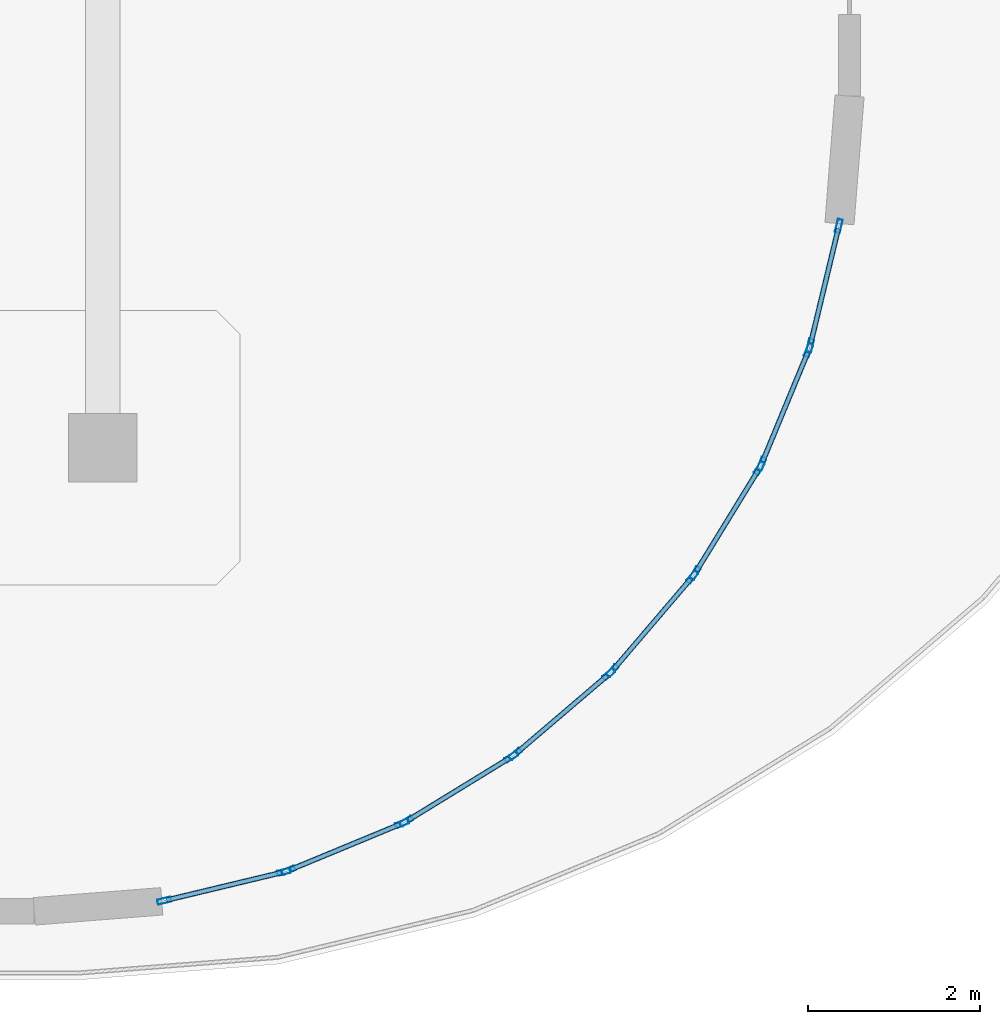
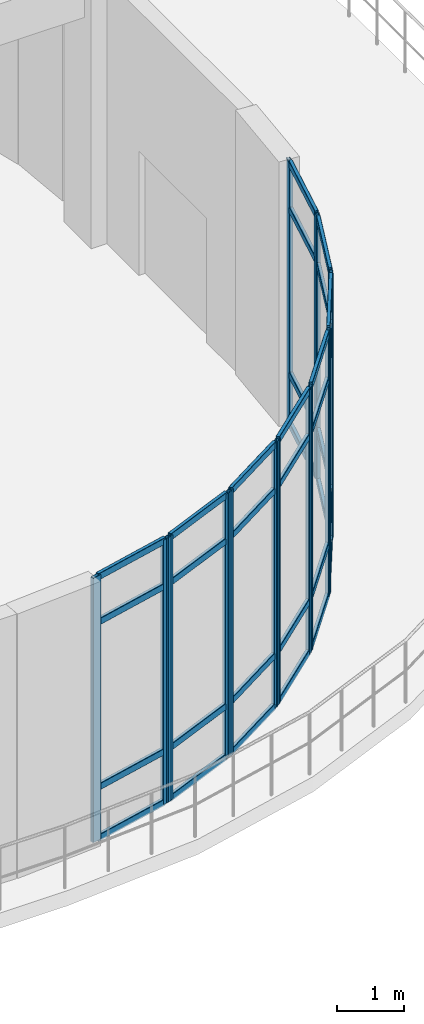
# One storey, part 59 of 96: 48 members, 8 elements without a shape of their own.
"""IFC4 building model written with IfcOpenShell, lengths in metres."""

import ifcopenshell
import ifcopenshell.guid

model = None  # the IFC model being written
_history = None  # IfcOwnerHistory: only IFC2X3 demands one
_inside = {}  # id of a spatial element -> (the spatial element, [elements in it])
_under = {}  # id of a project, library or spatial element -> (it, [spatial elements below it])
_declared = {}  # id of a project -> (the project, [libraries it declares])
_typed = {}  # id of a type object -> (the type object, [elements of that type])
_made_of = {}  # id of a material, layer set ... -> (it, [elements and type objects made of it])


def new_model(schema):
    """Start an empty IFC model of exactly this schema.

    Asked for "IFC4X3", IfcOpenShell would pick the latest addendum, in which some entities
    have other attributes; the version numbers below select the first issue.
    IFC2X3 requires an IfcOwnerHistory on every rooted entity: one is made here for all.
    """
    global model, _history
    if schema == "IFC4X3":
        model = ifcopenshell.file(schema_version=(4, 3, 0, 0))
    else:
        model = ifcopenshell.file(schema=schema)
    _inside.clear()
    _under.clear()
    _declared.clear()
    _typed.clear()
    _made_of.clear()
    _history = None
    if model.schema == "IFC2X3":
        org = make("IfcOrganization", Name="unknown")
        user = make(
            "IfcPersonAndOrganization",
            ThePerson=make("IfcPerson", FamilyName="unknown"),
            TheOrganization=org,
        )
        app = make(
            "IfcApplication",
            ApplicationDeveloper=org,
            Version="unknown",
            ApplicationFullName="unknown",
            ApplicationIdentifier="unknown",
        )
        _history = make(
            "IfcOwnerHistory",
            OwningUser=user,
            OwningApplication=app,
            ChangeAction="ADDED",
            CreationDate=0,
        )
    return model


def make(cls, **values):
    """One entity of the class cls with the attributes given. An attribute that is None is left unset."""
    return model.create_entity(
        cls, **{name: value for name, value in values.items() if value is not None}
    )


def rooted(cls, **values):
    """An entity with a GlobalId (a new one), such as an element, a storey or a relation."""
    return make(cls, GlobalId=ifcopenshell.guid.new(), OwnerHistory=_history, **values)


def si_unit(unit_type, name, prefix=None):
    """IfcSIUnit, for example si_unit("LENGTHUNIT", "METRE", prefix="MILLI")."""
    return make("IfcSIUnit", UnitType=unit_type, Prefix=prefix, Name=name)


def derived_unit(unit_type, elements):
    """IfcDerivedUnit: a product of units, each with its exponent."""
    return make(
        "IfcDerivedUnit",
        Elements=[
            make("IfcDerivedUnitElement", Unit=unit, Exponent=power)
            for unit, power in elements
        ],
        UnitType=unit_type,
    )


def assignment(units):
    """IfcUnitAssignment: the units of a project."""
    return None if units is None else make("IfcUnitAssignment", Units=units)


def point(xyz):
    """IfcCartesianPoint."""
    return None if xyz is None else make("IfcCartesianPoint", Coordinates=xyz)


def direction(xyz):
    """IfcDirection."""
    return None if xyz is None else make("IfcDirection", DirectionRatios=xyz)


def frame(location, z_axis=None, x_axis=None):
    """IfcAxis2Placement3D, a coordinate frame: its origin and axes. An axis left out is left unset."""
    return make(
        "IfcAxis2Placement3D",
        Location=point(location),
        Axis=direction(z_axis),
        RefDirection=direction(x_axis),
    )


def frame_2d(location, x_axis=None):
    """IfcAxis2Placement2D, a coordinate frame in the plane: its origin and x axis."""
    return make(
        "IfcAxis2Placement2D", Location=point(location), RefDirection=direction(x_axis)
    )


def origin():
    """The frame at (0, 0, 0) with its axes left unset."""
    return frame((0.0, 0.0, 0.0))


def origin_2d():
    """The frame at (0, 0) in the plane with its x axis left unset."""
    return frame_2d((0.0, 0.0))


def place(relative_to, where):
    """IfcLocalPlacement: puts the frame where relative to a parent placement (None: the world)."""
    return make(
        "IfcLocalPlacement", PlacementRelTo=relative_to, RelativePlacement=where
    )


def context(
    kind, dimensions, precision=None, world=None, true_north=None, identifier=None
):
    """IfcGeometricRepresentationContext, for example the 3D "Model" context."""
    return make(
        "IfcGeometricRepresentationContext",
        ContextIdentifier=identifier,
        ContextType=kind,
        CoordinateSpaceDimension=dimensions,
        Precision=precision,
        WorldCoordinateSystem=world,
        TrueNorth=true_north,
    )


def subcontext(parent, identifier, kind, view, scale=None):
    """IfcGeometricRepresentationSubContext, for example "Body" below "Model"."""
    return make(
        "IfcGeometricRepresentationSubContext",
        ContextIdentifier=identifier,
        ContextType=kind,
        ParentContext=parent,
        TargetScale=scale,
        TargetView=view,
    )


def project(units=None, contexts=None):
    """IfcProject with its units and contexts."""
    return rooted(
        "IfcProject",
        Name="project",
        RepresentationContexts=contexts,
        UnitsInContext=assignment(units),
    )


def spatial(cls, under=None, at=None, **own):
    """A site, building, storey or space (cls), placed at a placement, below another one or the project."""
    s = rooted(cls, ObjectPlacement=at, **own)
    if under is not None:
        _under.setdefault(under.id(), (under, []))[1].append(s)
    return s


def profile(cls, at=None, kind="AREA", **sizes):
    """A parametric profile (cls). Its sizes go by their IFC names, for example OverallWidth=200.0."""
    return make(cls, ProfileType=kind, Position=at, **sizes)


def hollow_rectangle(**sizes):
    """IfcRectangleHollowProfileDef."""
    return profile("IfcRectangleHollowProfileDef", **sizes)


def extrude(swept, where, along, depth):
    """IfcExtrudedAreaSolid: the profile swept, set in the frame where, extruded along a direction by depth."""
    return make(
        "IfcExtrudedAreaSolid",
        SweptArea=swept,
        Position=where,
        ExtrudedDirection=direction(along),
        Depth=depth,
    )


def shape(context_of_items, identifier, shape_type, items):
    """IfcShapeRepresentation: the items that make up one representation, for example the "Body"."""
    return make(
        "IfcShapeRepresentation",
        ContextOfItems=context_of_items,
        RepresentationIdentifier=identifier,
        RepresentationType=shape_type,
        Items=items,
    )


def material(Name=None, Category=None):
    """IfcMaterial."""
    return make("IfcMaterial", Name=Name, Category=Category)


def layer(
    of_material, thickness, ventilated=None, Name=None, Category=None, Priority=None
):
    """IfcMaterialLayer: one layer of a wall or slab, of a material (None: an air gap)."""
    return make(
        "IfcMaterialLayer",
        Material=of_material,
        LayerThickness=thickness,
        IsVentilated=ventilated,
        Name=Name,
        Category=Category,
        Priority=Priority,
    )


def layer_set(layers, Name=None):
    """IfcMaterialLayerSet."""
    return make("IfcMaterialLayerSet", MaterialLayers=layers, LayerSetName=Name)


def material_profile(
    of_material, cross_section, Name=None, Category=None, Priority=None
):
    """IfcMaterialProfile: a cross section and its material."""
    return make(
        "IfcMaterialProfile",
        Name=Name,
        Material=of_material,
        Profile=cross_section,
        Priority=Priority,
        Category=Category,
    )


def profile_set(profiles, Name=None, composite=None):
    """IfcMaterialProfileSet."""
    return make(
        "IfcMaterialProfileSet",
        Name=Name,
        MaterialProfiles=profiles,
        CompositeProfile=composite,
    )


def made_of(thing, what):
    """Note that an element or type object is made of a material, layer set ...; save() writes the relation."""
    if what is not None:
        _made_of.setdefault(what.id(), (what, []))[1].append(thing)
    return thing


def type_object(cls, material=None, **own):
    """A type object (cls), such as IfcWallType, which elements share."""
    return made_of(rooted(cls, **own), material)


def element(
    cls,
    number,
    at=None,
    inside=None,
    cuts=None,
    type_object=None,
    material=None,
    context=None,
    identifier="Body",
    shape_type=None,
    held_by="IfcProductDefinitionShape",
    body=None,
    shapes=None,
    **own,
):
    """One element of the class cls, such as IfcWall. Its Tag is "e" and its number.

    at: its placement. inside: the storey or other place that contains it. cuts: it is an
    opening in that element (IfcRelVoidsElement). A single representation is given by context,
    identifier, shape_type and body (its items); several are given by shapes. held_by: the class
    of the entity that holds the representations. save() writes the other relations.
    """
    e = rooted(cls, Tag="e%d" % number, ObjectPlacement=at, **own)
    if body is not None:
        shapes = [shape(context, identifier, shape_type, body)]
    if shapes is not None:
        e.Representation = make(held_by, Representations=shapes)
    if inside is not None:
        _inside.setdefault(inside.id(), (inside, []))[1].append(e)
    if cuts is not None:
        rooted(
            "IfcRelVoidsElement", RelatingBuildingElement=cuts, RelatedOpeningElement=e
        )
    if type_object is not None:
        _typed.setdefault(type_object.id(), (type_object, []))[1].append(e)
    return made_of(e, material)


def aggregate(whole, parts):
    """IfcRelAggregates: a whole, such as a stair, and the parts it consists of."""
    return rooted("IfcRelAggregates", RelatingObject=whole, RelatedObjects=parts)


def save(model, path):
    """Write the relations noted so far, then the file.

    IfcRelAggregates (storeys below a building ...), IfcRelContainedInSpatialStructure (elements
    in a storey), IfcRelDefinesByType, IfcRelAssociatesMaterial and IfcRelDeclares: one each for
    every whole, place, type object, material and project.
    """
    for whole, parts in _under.values():
        aggregate(whole, parts)
    for where, things in _inside.values():
        rooted(
            "IfcRelContainedInSpatialStructure",
            RelatedElements=things,
            RelatingStructure=where,
        )
    for kind, things in _typed.values():
        rooted("IfcRelDefinesByType", RelatedObjects=things, RelatingType=kind)
    for what, things in _made_of.values():
        rooted("IfcRelAssociatesMaterial", RelatedObjects=things, RelatingMaterial=what)
    for by, libraries in _declared.values():
        rooted("IfcRelDeclares", RelatingContext=by, RelatedDefinitions=libraries)
    model.write(path)


model = new_model("IFC4")

# Units and contexts
model_context = context("Model", 3, precision=1e-05, world=origin(), true_north=direction((0.0, 1.0)))
body_context = subcontext(model_context, "Body", "Model", "MODEL_VIEW")
ifc_project = project(units=[si_unit("LENGTHUNIT", "METRE"), si_unit("AREAUNIT", "SQUARE_METRE"), si_unit("VOLUMEUNIT", "CUBIC_METRE"), si_unit("PLANEANGLEUNIT", "RADIAN"), si_unit("MASSUNIT", "GRAM", prefix="KILO"), derived_unit("THERMALTRANSMITTANCEUNIT", [(si_unit("MASSUNIT", "GRAM", prefix="KILO"), 1), (si_unit("TIMEUNIT", "SECOND"), -3), (si_unit("THERMODYNAMICTEMPERATUREUNIT", "KELVIN"), -1)])], contexts=[model_context])

# Site, building, storey
site_placement = place(None, origin())
site = spatial("IfcSite", under=ifc_project, at=site_placement, CompositionType="ELEMENT")
building_placement = place(site_placement, origin())
building = spatial("IfcBuilding", under=site, at=building_placement, Name="Qinzheling Arcade Emporium", CompositionType="ELEMENT")
storey_placement = place(building_placement, frame((0.0, 0.0, 21.60009765625)))
storey = spatial("IfcBuildingStorey", under=building, at=storey_placement, Name="L05", CompositionType="ELEMENT", Elevation=21.60009765625)

# Curtain wall, members
ifc_material_1 = material(Name="Anodised aluminium and solar-control double glazing", Category="aluminium")
ifc_layer = layer(ifc_material_1, 0.159912109375, Name="Anodised aluminium and solar-control double glazing", Category="aluminium")
ifc_layer_set = layer_set([ifc_layer], Name="Anodised aluminium and solar-control double glazing")
curtain_wall_type = type_object("IfcCurtainWallType", Name="Curved Ribbon Sales Curtain Wall", PredefinedType="NOTDEFINED", material=ifc_layer_set)
curtain_wall_1_placement = place(storey_placement, origin())
curtain_wall_1 = element("IfcCurtainWall", 1, at=curtain_wall_1_placement, inside=storey, type_object=curtain_wall_type, Name="Curtain Wall CW-L05-286", PredefinedType="NOTDEFINED")
ifc_material_2 = material(Name="Anodised aluminium 6063-T6", Category="aluminium")
ifc_material_profile_1 = material_profile(ifc_material_2, hollow_rectangle(XDim=0.06005859375, YDim=0.159912109375, WallThickness=0.00390625, InnerFilletRadius=0.00390625, OuterFilletRadius=0.008056640625, at=origin_2d()), Name="RHS 160x60x4", Category="aluminium")
ifc_profile_set_1 = profile_set([ifc_material_profile_1], Name="Anodised aluminium 6063-T6")
member_type_1 = type_object("IfcMemberType", Name="Curtain Wall Mullion RHS160x60", PredefinedType="MULLION", material=ifc_profile_set_1)
member_1_placement = place(storey_placement, frame((156.47607421875, 10.98486328125, 0.0), z_axis=(0.0, 0.0, 1.0), x_axis=(0.97238730198, -0.233372952479, 0.0)))
member_1 = element("IfcMember", 2, at=member_1_placement, type_object=member_type_1, Name="CW02 mullion 1", PredefinedType="MULLION", context=body_context, shape_type="SweptSolid", body=[
    extrude(hollow_rectangle(XDim=0.06005859375, YDim=0.159912109375, WallThickness=0.00390625, InnerFilletRadius=0.00390625, OuterFilletRadius=0.008056640625, at=origin_2d()), origin(), (0.0, 0.0, 1.0), 4.789794921875),
])
member_2_placement = place(storey_placement, frame((156.14208984375, 9.59326171875, 0.0), z_axis=(0.0, 0.0, 1.0), x_axis=(0.97238730198, -0.233372952479, 0.0)))
member_2 = element("IfcMember", 3, at=member_2_placement, type_object=member_type_1, Name="CW02 mullion 2", PredefinedType="MULLION", context=body_context, shape_type="SweptSolid", body=[
    extrude(hollow_rectangle(XDim=0.06005859375, YDim=0.159912109375, WallThickness=0.00390625, InnerFilletRadius=0.00390625, OuterFilletRadius=0.008056640625, at=origin_2d()), origin(), (0.0, 0.0, 1.0), 4.789794921875),
])

curtain_wall_2_placement = place(storey_placement, origin())
curtain_wall_2 = element("IfcCurtainWall", 4, at=curtain_wall_2_placement, inside=storey, type_object=curtain_wall_type, Name="Curtain Wall CW-L05-287", PredefinedType="NOTDEFINED")
member_3_placement = place(storey_placement, frame((156.12353515625, 9.536376953125, 0.0), z_axis=(0.0, 0.0, 1.0), x_axis=(0.923967777063, -0.382470321658, 0.0)))
member_3 = element("IfcMember", 5, at=member_3_placement, type_object=member_type_1, Name="CW02 mullion 1", PredefinedType="MULLION", context=body_context, shape_type="SweptSolid", body=[
    extrude(hollow_rectangle(XDim=0.06005859375, YDim=0.159912109375, WallThickness=0.00390625, InnerFilletRadius=0.00390625, OuterFilletRadius=0.008056640625, at=origin_2d()), origin(), (0.0, 0.0, 1.0), 4.789794921875),
])
member_4_placement = place(storey_placement, frame((155.576416015625, 8.214599609375, 0.0), z_axis=(0.0, 0.0, 1.0), x_axis=(0.923967777063, -0.382470321658, 0.0)))
member_4 = element("IfcMember", 6, at=member_4_placement, type_object=member_type_1, Name="CW02 mullion 2", PredefinedType="MULLION", context=body_context, shape_type="SweptSolid", body=[
    extrude(hollow_rectangle(XDim=0.06005859375, YDim=0.159912109375, WallThickness=0.00390625, InnerFilletRadius=0.00390625, OuterFilletRadius=0.008056640625, at=origin_2d()), origin(), (0.0, 0.0, 1.0), 4.789794921875),
])

curtain_wall_3_placement = place(storey_placement, origin())
curtain_wall_3 = element("IfcCurtainWall", 7, at=curtain_wall_3_placement, inside=storey, type_object=curtain_wall_type, Name="Curtain Wall CW-L05-288", PredefinedType="NOTDEFINED")
member_5_placement = place(storey_placement, frame((155.54931640625, 8.161376953125, 0.0), z_axis=(0.0, 0.0, 1.0), x_axis=(0.852601252413, -0.522562057926, 0.0)))
member_5 = element("IfcMember", 8, at=member_5_placement, type_object=member_type_1, Name="CW02 mullion 1", PredefinedType="MULLION", context=body_context, shape_type="SweptSolid", body=[
    extrude(hollow_rectangle(XDim=0.06005859375, YDim=0.159912109375, WallThickness=0.00390625, InnerFilletRadius=0.00390625, OuterFilletRadius=0.008056640625, at=origin_2d()), origin(), (0.0, 0.0, 1.0), 4.789794921875),
])
member_6_placement = place(storey_placement, frame((154.8017578125, 6.941650390625, 0.0), z_axis=(0.0, 0.0, 1.0), x_axis=(0.852601252413, -0.522562057926, 0.0)))
member_6 = element("IfcMember", 9, at=member_6_placement, type_object=member_type_1, Name="CW02 mullion 2", PredefinedType="MULLION", context=body_context, shape_type="SweptSolid", body=[
    extrude(hollow_rectangle(XDim=0.06005859375, YDim=0.159912109375, WallThickness=0.00390625, InnerFilletRadius=0.00390625, OuterFilletRadius=0.008056640625, at=origin_2d()), origin(), (0.0, 0.0, 1.0), 4.789794921875),
])

curtain_wall_4_placement = place(storey_placement, origin())
curtain_wall_4 = element("IfcCurtainWall", 10, at=curtain_wall_4_placement, inside=storey, type_object=curtain_wall_type, Name="Curtain Wall CW-L05-289", PredefinedType="NOTDEFINED")
member_7_placement = place(storey_placement, frame((154.7666015625, 6.89306640625, 0.0), z_axis=(0.0, 0.0, 1.0), x_axis=(0.760580657994, -0.649243454095, 0.0)))
member_7 = element("IfcMember", 11, at=member_7_placement, type_object=member_type_1, Name="CW02 mullion 1", PredefinedType="MULLION", context=body_context, shape_type="SweptSolid", body=[
    extrude(hollow_rectangle(XDim=0.06005859375, YDim=0.159912109375, WallThickness=0.00390625, InnerFilletRadius=0.00390625, OuterFilletRadius=0.008056640625, at=origin_2d()), origin(), (0.0, 0.0, 1.0), 4.789794921875),
])
member_8_placement = place(storey_placement, frame((153.83740234375, 5.804931640625, 0.0), z_axis=(0.0, 0.0, 1.0), x_axis=(0.760580657994, -0.649243454095, 0.0)))
member_8 = element("IfcMember", 12, at=member_8_placement, type_object=member_type_1, Name="CW02 mullion 2", PredefinedType="MULLION", context=body_context, shape_type="SweptSolid", body=[
    extrude(hollow_rectangle(XDim=0.06005859375, YDim=0.159912109375, WallThickness=0.00390625, InnerFilletRadius=0.00390625, OuterFilletRadius=0.008056640625, at=origin_2d()), origin(), (0.0, 0.0, 1.0), 4.789794921875),
])

curtain_wall_5_placement = place(storey_placement, origin())
curtain_wall_5 = element("IfcCurtainWall", 13, at=curtain_wall_5_placement, inside=storey, type_object=curtain_wall_type, Name="Curtain Wall CW-L05-290", PredefinedType="NOTDEFINED")
member_9_placement = place(storey_placement, frame((153.795166015625, 5.762451171875, 0.0), z_axis=(0.0, 0.0, 1.0), x_axis=(0.649243454095, -0.760580657994, 0.0)))
member_9 = element("IfcMember", 14, at=member_9_placement, type_object=member_type_1, Name="CW02 mullion 1", PredefinedType="MULLION", context=body_context, shape_type="SweptSolid", body=[
    extrude(hollow_rectangle(XDim=0.06005859375, YDim=0.159912109375, WallThickness=0.00390625, InnerFilletRadius=0.00390625, OuterFilletRadius=0.008056640625, at=origin_2d()), origin(), (0.0, 0.0, 1.0), 4.789794921875),
])
member_10_placement = place(storey_placement, frame((152.706787109375, 4.83349609375, 0.0), z_axis=(0.0, 0.0, 1.0), x_axis=(0.649243454095, -0.760580657994, 0.0)))
member_10 = element("IfcMember", 15, at=member_10_placement, type_object=member_type_1, Name="CW02 mullion 2", PredefinedType="MULLION", context=body_context, shape_type="SweptSolid", body=[
    extrude(hollow_rectangle(XDim=0.06005859375, YDim=0.159912109375, WallThickness=0.00390625, InnerFilletRadius=0.00390625, OuterFilletRadius=0.008056640625, at=origin_2d()), origin(), (0.0, 0.0, 1.0), 4.789794921875),
])

curtain_wall_6_placement = place(storey_placement, origin())
curtain_wall_6 = element("IfcCurtainWall", 16, at=curtain_wall_6_placement, inside=storey, type_object=curtain_wall_type, Name="Curtain Wall CW-L05-291", PredefinedType="NOTDEFINED")
member_11_placement = place(storey_placement, frame((152.658447265625, 4.79833984375, 0.0), z_axis=(0.0, 0.0, 1.0), x_axis=(0.522562057926, -0.852601252413, 0.0)))
member_11 = element("IfcMember", 17, at=member_11_placement, type_object=member_type_1, Name="CW02 mullion 1", PredefinedType="MULLION", context=body_context, shape_type="SweptSolid", body=[
    extrude(hollow_rectangle(XDim=0.06005859375, YDim=0.159912109375, WallThickness=0.00390625, InnerFilletRadius=0.00390625, OuterFilletRadius=0.008056640625, at=origin_2d()), origin(), (0.0, 0.0, 1.0), 4.789794921875),
])
member_12_placement = place(storey_placement, frame((151.4384765625, 4.05078125, 0.0), z_axis=(0.0, 0.0, 1.0), x_axis=(0.522562057926, -0.852601252413, 0.0)))
member_12 = element("IfcMember", 18, at=member_12_placement, type_object=member_type_1, Name="CW02 mullion 2", PredefinedType="MULLION", context=body_context, shape_type="SweptSolid", body=[
    extrude(hollow_rectangle(XDim=0.06005859375, YDim=0.159912109375, WallThickness=0.00390625, InnerFilletRadius=0.00390625, OuterFilletRadius=0.008056640625, at=origin_2d()), origin(), (0.0, 0.0, 1.0), 4.789794921875),
])

curtain_wall_7_placement = place(storey_placement, origin())
curtain_wall_7 = element("IfcCurtainWall", 19, at=curtain_wall_7_placement, inside=storey, type_object=curtain_wall_type, Name="Curtain Wall CW-L05-292", PredefinedType="NOTDEFINED")
member_13_placement = place(storey_placement, frame((151.38525390625, 4.0234375, 0.0), z_axis=(0.0, 0.0, 1.0), x_axis=(0.382470321658, -0.923967777063, 0.0)))
member_13 = element("IfcMember", 20, at=member_13_placement, type_object=member_type_1, Name="CW02 mullion 1", PredefinedType="MULLION", context=body_context, shape_type="SweptSolid", body=[
    extrude(hollow_rectangle(XDim=0.06005859375, YDim=0.159912109375, WallThickness=0.00390625, InnerFilletRadius=0.00390625, OuterFilletRadius=0.008056640625, at=origin_2d()), origin(), (0.0, 0.0, 1.0), 4.789794921875),
])
member_14_placement = place(storey_placement, frame((150.063720703125, 3.4765625, 0.0), z_axis=(0.0, 0.0, 1.0), x_axis=(0.382470321658, -0.923967777063, 0.0)))
member_14 = element("IfcMember", 21, at=member_14_placement, type_object=member_type_1, Name="CW02 mullion 2", PredefinedType="MULLION", context=body_context, shape_type="SweptSolid", body=[
    extrude(hollow_rectangle(XDim=0.06005859375, YDim=0.159912109375, WallThickness=0.00390625, InnerFilletRadius=0.00390625, OuterFilletRadius=0.008056640625, at=origin_2d()), origin(), (0.0, 0.0, 1.0), 4.789794921875),
])

curtain_wall_8_placement = place(storey_placement, origin())
curtain_wall_8 = element("IfcCurtainWall", 22, at=curtain_wall_8_placement, inside=storey, type_object=curtain_wall_type, Name="Curtain Wall CW-L05-293", PredefinedType="NOTDEFINED")
member_15_placement = place(storey_placement, frame((150.0068359375, 3.4580078125, 0.0), z_axis=(0.0, 0.0, 1.0), x_axis=(0.233372952479, -0.97238730198, 0.0)))
member_15 = element("IfcMember", 23, at=member_15_placement, type_object=member_type_1, Name="CW02 mullion 1", PredefinedType="MULLION", context=body_context, shape_type="SweptSolid", body=[
    extrude(hollow_rectangle(XDim=0.06005859375, YDim=0.159912109375, WallThickness=0.00390625, InnerFilletRadius=0.00390625, OuterFilletRadius=0.008056640625, at=origin_2d()), origin(), (0.0, 0.0, 1.0), 4.789794921875),
])
member_16_placement = place(storey_placement, frame((148.615234375, 3.1240234375, 0.0), z_axis=(0.0, 0.0, 1.0), x_axis=(0.233372952479, -0.97238730198, 0.0)))
member_16 = element("IfcMember", 24, at=member_16_placement, type_object=member_type_1, Name="CW02 mullion 2", PredefinedType="MULLION", context=body_context, shape_type="SweptSolid", body=[
    extrude(hollow_rectangle(XDim=0.06005859375, YDim=0.159912109375, WallThickness=0.00390625, InnerFilletRadius=0.00390625, OuterFilletRadius=0.008056640625, at=origin_2d()), origin(), (0.0, 0.0, 1.0), 4.789794921875),
])

# Member
ifc_material_profile_2 = material_profile(ifc_material_2, hollow_rectangle(XDim=0.06005859375, YDim=0.1201171875, WallThickness=0.00390625, InnerFilletRadius=0.00390625, OuterFilletRadius=0.008056640625, at=origin_2d()), Name="RHS 120x60x4", Category="aluminium")
ifc_profile_set_2 = profile_set([ifc_material_profile_2], Name="Anodised aluminium 6063-T6")
member_type_2 = type_object("IfcMemberType", Name="Curtain Wall Transom RHS120x60", PredefinedType="USERDEFINED", material=ifc_profile_set_2)
member_17_placement = place(storey_placement, frame((156.468994140625, 10.95556640625, 0.02978515625), z_axis=(-0.233433561656, -0.972372753779, 0.0), x_axis=(0.972372753779, -0.233433561656, 0.0)))
member_17 = element("IfcMember", 25, at=member_17_placement, type_object=member_type_2, Name="CW02 transom 1.1", ObjectType="TRANSOM", PredefinedType="USERDEFINED", context=body_context, shape_type="SweptSolid", body=[
    extrude(hollow_rectangle(XDim=0.06005859375, YDim=0.1201171875, WallThickness=0.00390625, InnerFilletRadius=0.00390625, OuterFilletRadius=0.008056640625, at=origin_2d()), origin(), (0.0, 0.0, 1.0), 1.37109375),
])

member_18_placement = place(storey_placement, frame((156.468994140625, 10.95556640625, 0.949951171875), z_axis=(-0.233433561656, -0.972372753779, 0.0), x_axis=(0.972372753779, -0.233433561656, 0.0)))
member_18 = element("IfcMember", 26, at=member_18_placement, type_object=member_type_2, Name="CW02 transom 1.2", ObjectType="TRANSOM", PredefinedType="USERDEFINED", context=body_context, shape_type="SweptSolid", body=[
    extrude(hollow_rectangle(XDim=0.06005859375, YDim=0.1201171875, WallThickness=0.00390625, InnerFilletRadius=0.00390625, OuterFilletRadius=0.008056640625, at=origin_2d()), origin(), (0.0, 0.0, 1.0), 1.37109375),
])

member_19_placement = place(storey_placement, frame((156.468994140625, 10.95556640625, 3.93994140625), z_axis=(-0.233433561656, -0.972372753779, 0.0), x_axis=(0.972372753779, -0.233433561656, 0.0)))
member_19 = element("IfcMember", 27, at=member_19_placement, type_object=member_type_2, Name="CW02 transom 1.3", ObjectType="TRANSOM", PredefinedType="USERDEFINED", context=body_context, shape_type="SweptSolid", body=[
    extrude(hollow_rectangle(XDim=0.06005859375, YDim=0.1201171875, WallThickness=0.00390625, InnerFilletRadius=0.00390625, OuterFilletRadius=0.008056640625, at=origin_2d()), origin(), (0.0, 0.0, 1.0), 1.37109375),
])

member_20_placement = place(storey_placement, frame((156.468994140625, 10.95556640625, 4.760009765625), z_axis=(-0.233433561656, -0.972372753779, 0.0), x_axis=(0.972372753779, -0.233433561656, 0.0)))
member_20 = element("IfcMember", 28, at=member_20_placement, type_object=member_type_2, Name="CW02 transom 1.4", ObjectType="TRANSOM", PredefinedType="USERDEFINED", context=body_context, shape_type="SweptSolid", body=[
    extrude(hollow_rectangle(XDim=0.06005859375, YDim=0.1201171875, WallThickness=0.00390625, InnerFilletRadius=0.00390625, OuterFilletRadius=0.008056640625, at=origin_2d()), origin(), (0.0, 0.0, 1.0), 1.37109375),
])

aggregate(curtain_wall_1, [member_1, member_2, member_17, member_18, member_19, member_20])

member_21_placement = place(storey_placement, frame((156.112060546875, 9.508544921875, 0.02978515625), z_axis=(-0.382514393791, -0.923949532465, 0.0), x_axis=(0.923949532465, -0.382514393791, 0.0)))
member_21 = element("IfcMember", 29, at=member_21_placement, type_object=member_type_2, Name="CW02 transom 1.1", ObjectType="TRANSOM", PredefinedType="USERDEFINED", context=body_context, shape_type="SweptSolid", body=[
    extrude(hollow_rectangle(XDim=0.06005859375, YDim=0.1201171875, WallThickness=0.00390625, InnerFilletRadius=0.00390625, OuterFilletRadius=0.008056640625, at=origin_2d()), origin(), (0.0, 0.0, 1.0), 1.370361328125),
])

member_22_placement = place(storey_placement, frame((156.112060546875, 9.508544921875, 0.949951171875), z_axis=(-0.382514393791, -0.923949532465, 0.0), x_axis=(0.923949532465, -0.382514393791, 0.0)))
member_22 = element("IfcMember", 30, at=member_22_placement, type_object=member_type_2, Name="CW02 transom 1.2", ObjectType="TRANSOM", PredefinedType="USERDEFINED", context=body_context, shape_type="SweptSolid", body=[
    extrude(hollow_rectangle(XDim=0.06005859375, YDim=0.1201171875, WallThickness=0.00390625, InnerFilletRadius=0.00390625, OuterFilletRadius=0.008056640625, at=origin_2d()), origin(), (0.0, 0.0, 1.0), 1.370361328125),
])

member_23_placement = place(storey_placement, frame((156.112060546875, 9.508544921875, 3.93994140625), z_axis=(-0.382514393791, -0.923949532465, 0.0), x_axis=(0.923949532465, -0.382514393791, 0.0)))
member_23 = element("IfcMember", 31, at=member_23_placement, type_object=member_type_2, Name="CW02 transom 1.3", ObjectType="TRANSOM", PredefinedType="USERDEFINED", context=body_context, shape_type="SweptSolid", body=[
    extrude(hollow_rectangle(XDim=0.06005859375, YDim=0.1201171875, WallThickness=0.00390625, InnerFilletRadius=0.00390625, OuterFilletRadius=0.008056640625, at=origin_2d()), origin(), (0.0, 0.0, 1.0), 1.370361328125),
])

member_24_placement = place(storey_placement, frame((156.112060546875, 9.508544921875, 4.760009765625), z_axis=(-0.382514393791, -0.923949532465, 0.0), x_axis=(0.923949532465, -0.382514393791, 0.0)))
member_24 = element("IfcMember", 32, at=member_24_placement, type_object=member_type_2, Name="CW02 transom 1.4", ObjectType="TRANSOM", PredefinedType="USERDEFINED", context=body_context, shape_type="SweptSolid", body=[
    extrude(hollow_rectangle(XDim=0.06005859375, YDim=0.1201171875, WallThickness=0.00390625, InnerFilletRadius=0.00390625, OuterFilletRadius=0.008056640625, at=origin_2d()), origin(), (0.0, 0.0, 1.0), 1.370361328125),
])

aggregate(curtain_wall_2, [member_3, member_4, member_21, member_22, member_23, member_24])

member_25_placement = place(storey_placement, frame((155.53369140625, 8.1357421875, 0.02978515625), z_axis=(-0.522566234413, -0.852598692616, 0.0), x_axis=(0.852598692616, -0.522566234413, 0.0)))
member_25 = element("IfcMember", 33, at=member_25_placement, type_object=member_type_2, Name="CW02 transom 1.1", ObjectType="TRANSOM", PredefinedType="USERDEFINED", context=body_context, shape_type="SweptSolid", body=[
    extrude(hollow_rectangle(XDim=0.06005859375, YDim=0.1201171875, WallThickness=0.00390625, InnerFilletRadius=0.00390625, OuterFilletRadius=0.008056640625, at=origin_2d()), origin(), (0.0, 0.0, 1.0), 1.370849609375),
])

member_26_placement = place(storey_placement, frame((155.53369140625, 8.1357421875, 0.949951171875), z_axis=(-0.522566234413, -0.852598692616, 0.0), x_axis=(0.852598692616, -0.522566234413, 0.0)))
member_26 = element("IfcMember", 34, at=member_26_placement, type_object=member_type_2, Name="CW02 transom 1.2", ObjectType="TRANSOM", PredefinedType="USERDEFINED", context=body_context, shape_type="SweptSolid", body=[
    extrude(hollow_rectangle(XDim=0.06005859375, YDim=0.1201171875, WallThickness=0.00390625, InnerFilletRadius=0.00390625, OuterFilletRadius=0.008056640625, at=origin_2d()), origin(), (0.0, 0.0, 1.0), 1.370849609375),
])

member_27_placement = place(storey_placement, frame((155.53369140625, 8.1357421875, 3.93994140625), z_axis=(-0.522566234413, -0.852598692616, 0.0), x_axis=(0.852598692616, -0.522566234413, 0.0)))
member_27 = element("IfcMember", 35, at=member_27_placement, type_object=member_type_2, Name="CW02 transom 1.3", ObjectType="TRANSOM", PredefinedType="USERDEFINED", context=body_context, shape_type="SweptSolid", body=[
    extrude(hollow_rectangle(XDim=0.06005859375, YDim=0.1201171875, WallThickness=0.00390625, InnerFilletRadius=0.00390625, OuterFilletRadius=0.008056640625, at=origin_2d()), origin(), (0.0, 0.0, 1.0), 1.370849609375),
])

member_28_placement = place(storey_placement, frame((155.53369140625, 8.1357421875, 4.760009765625), z_axis=(-0.522566234413, -0.852598692616, 0.0), x_axis=(0.852598692616, -0.522566234413, 0.0)))
member_28 = element("IfcMember", 36, at=member_28_placement, type_object=member_type_2, Name="CW02 transom 1.4", ObjectType="TRANSOM", PredefinedType="USERDEFINED", context=body_context, shape_type="SweptSolid", body=[
    extrude(hollow_rectangle(XDim=0.06005859375, YDim=0.1201171875, WallThickness=0.00390625, InnerFilletRadius=0.00390625, OuterFilletRadius=0.008056640625, at=origin_2d()), origin(), (0.0, 0.0, 1.0), 1.370849609375),
])

aggregate(curtain_wall_3, [member_5, member_6, member_25, member_26, member_27, member_28])

member_29_placement = place(storey_placement, frame((154.7470703125, 6.870361328125, 0.02978515625), z_axis=(-0.649264892352, -0.760562357443, 0.0), x_axis=(0.760562357443, -0.649264892352, 0.0)))
member_29 = element("IfcMember", 37, at=member_29_placement, type_object=member_type_2, Name="CW02 transom 1.1", ObjectType="TRANSOM", PredefinedType="USERDEFINED", context=body_context, shape_type="SweptSolid", body=[
    extrude(hollow_rectangle(XDim=0.06005859375, YDim=0.1201171875, WallThickness=0.00390625, InnerFilletRadius=0.00390625, OuterFilletRadius=0.008056640625, at=origin_2d()), origin(), (0.0, 0.0, 1.0), 1.37109375),
])

member_30_placement = place(storey_placement, frame((154.7470703125, 6.870361328125, 0.949951171875), z_axis=(-0.649264892352, -0.760562357443, 0.0), x_axis=(0.760562357443, -0.649264892352, 0.0)))
member_30 = element("IfcMember", 38, at=member_30_placement, type_object=member_type_2, Name="CW02 transom 1.2", ObjectType="TRANSOM", PredefinedType="USERDEFINED", context=body_context, shape_type="SweptSolid", body=[
    extrude(hollow_rectangle(XDim=0.06005859375, YDim=0.1201171875, WallThickness=0.00390625, InnerFilletRadius=0.00390625, OuterFilletRadius=0.008056640625, at=origin_2d()), origin(), (0.0, 0.0, 1.0), 1.37109375),
])

member_31_placement = place(storey_placement, frame((154.7470703125, 6.870361328125, 3.93994140625), z_axis=(-0.649264892352, -0.760562357443, 0.0), x_axis=(0.760562357443, -0.649264892352, 0.0)))
member_31 = element("IfcMember", 39, at=member_31_placement, type_object=member_type_2, Name="CW02 transom 1.3", ObjectType="TRANSOM", PredefinedType="USERDEFINED", context=body_context, shape_type="SweptSolid", body=[
    extrude(hollow_rectangle(XDim=0.06005859375, YDim=0.1201171875, WallThickness=0.00390625, InnerFilletRadius=0.00390625, OuterFilletRadius=0.008056640625, at=origin_2d()), origin(), (0.0, 0.0, 1.0), 1.37109375),
])

member_32_placement = place(storey_placement, frame((154.7470703125, 6.870361328125, 4.760009765625), z_axis=(-0.649264892352, -0.760562357443, 0.0), x_axis=(0.760562357443, -0.649264892352, 0.0)))
member_32 = element("IfcMember", 40, at=member_32_placement, type_object=member_type_2, Name="CW02 transom 1.4", ObjectType="TRANSOM", PredefinedType="USERDEFINED", context=body_context, shape_type="SweptSolid", body=[
    extrude(hollow_rectangle(XDim=0.06005859375, YDim=0.1201171875, WallThickness=0.00390625, InnerFilletRadius=0.00390625, OuterFilletRadius=0.008056640625, at=origin_2d()), origin(), (0.0, 0.0, 1.0), 1.37109375),
])

aggregate(curtain_wall_4, [member_7, member_8, member_29, member_30, member_31, member_32])

member_33_placement = place(storey_placement, frame((153.7724609375, 5.7431640625, 0.02978515625), z_axis=(-0.760562357443, -0.649264892352, 0.0), x_axis=(0.649264892352, -0.760562357443, 0.0)))
member_33 = element("IfcMember", 41, at=member_33_placement, type_object=member_type_2, Name="CW02 transom 1.1", ObjectType="TRANSOM", PredefinedType="USERDEFINED", context=body_context, shape_type="SweptSolid", body=[
    extrude(hollow_rectangle(XDim=0.06005859375, YDim=0.1201171875, WallThickness=0.00390625, InnerFilletRadius=0.00390625, OuterFilletRadius=0.008056640625, at=origin_2d()), origin(), (0.0, 0.0, 1.0), 1.37109375),
])

member_34_placement = place(storey_placement, frame((153.7724609375, 5.7431640625, 0.949951171875), z_axis=(-0.760562357443, -0.649264892352, 0.0), x_axis=(0.649264892352, -0.760562357443, 0.0)))
member_34 = element("IfcMember", 42, at=member_34_placement, type_object=member_type_2, Name="CW02 transom 1.2", ObjectType="TRANSOM", PredefinedType="USERDEFINED", context=body_context, shape_type="SweptSolid", body=[
    extrude(hollow_rectangle(XDim=0.06005859375, YDim=0.1201171875, WallThickness=0.00390625, InnerFilletRadius=0.00390625, OuterFilletRadius=0.008056640625, at=origin_2d()), origin(), (0.0, 0.0, 1.0), 1.37109375),
])

member_35_placement = place(storey_placement, frame((153.7724609375, 5.7431640625, 3.93994140625), z_axis=(-0.760562357443, -0.649264892352, 0.0), x_axis=(0.649264892352, -0.760562357443, 0.0)))
member_35 = element("IfcMember", 43, at=member_35_placement, type_object=member_type_2, Name="CW02 transom 1.3", ObjectType="TRANSOM", PredefinedType="USERDEFINED", context=body_context, shape_type="SweptSolid", body=[
    extrude(hollow_rectangle(XDim=0.06005859375, YDim=0.1201171875, WallThickness=0.00390625, InnerFilletRadius=0.00390625, OuterFilletRadius=0.008056640625, at=origin_2d()), origin(), (0.0, 0.0, 1.0), 1.37109375),
])

member_36_placement = place(storey_placement, frame((153.7724609375, 5.7431640625, 4.760009765625), z_axis=(-0.760562357443, -0.649264892352, 0.0), x_axis=(0.649264892352, -0.760562357443, 0.0)))
member_36 = element("IfcMember", 44, at=member_36_placement, type_object=member_type_2, Name="CW02 transom 1.4", ObjectType="TRANSOM", PredefinedType="USERDEFINED", context=body_context, shape_type="SweptSolid", body=[
    extrude(hollow_rectangle(XDim=0.06005859375, YDim=0.1201171875, WallThickness=0.00390625, InnerFilletRadius=0.00390625, OuterFilletRadius=0.008056640625, at=origin_2d()), origin(), (0.0, 0.0, 1.0), 1.37109375),
])

aggregate(curtain_wall_5, [member_9, member_10, member_33, member_34, member_35, member_36])

member_37_placement = place(storey_placement, frame((152.6328125, 4.78271484375, 0.02978515625), z_axis=(-0.852598692616, -0.522566234413, 0.0), x_axis=(0.522566234413, -0.852598692616, 0.0)))
member_37 = element("IfcMember", 45, at=member_37_placement, type_object=member_type_2, Name="CW02 transom 1.1", ObjectType="TRANSOM", PredefinedType="USERDEFINED", context=body_context, shape_type="SweptSolid", body=[
    extrude(hollow_rectangle(XDim=0.06005859375, YDim=0.1201171875, WallThickness=0.00390625, InnerFilletRadius=0.00390625, OuterFilletRadius=0.008056640625, at=origin_2d()), origin(), (0.0, 0.0, 1.0), 1.370849609375),
])

member_38_placement = place(storey_placement, frame((152.6328125, 4.78271484375, 0.949951171875), z_axis=(-0.852598692616, -0.522566234413, 0.0), x_axis=(0.522566234413, -0.852598692616, 0.0)))
member_38 = element("IfcMember", 46, at=member_38_placement, type_object=member_type_2, Name="CW02 transom 1.2", ObjectType="TRANSOM", PredefinedType="USERDEFINED", context=body_context, shape_type="SweptSolid", body=[
    extrude(hollow_rectangle(XDim=0.06005859375, YDim=0.1201171875, WallThickness=0.00390625, InnerFilletRadius=0.00390625, OuterFilletRadius=0.008056640625, at=origin_2d()), origin(), (0.0, 0.0, 1.0), 1.370849609375),
])

member_39_placement = place(storey_placement, frame((152.6328125, 4.78271484375, 3.93994140625), z_axis=(-0.852598692616, -0.522566234413, 0.0), x_axis=(0.522566234413, -0.852598692616, 0.0)))
member_39 = element("IfcMember", 47, at=member_39_placement, type_object=member_type_2, Name="CW02 transom 1.3", ObjectType="TRANSOM", PredefinedType="USERDEFINED", context=body_context, shape_type="SweptSolid", body=[
    extrude(hollow_rectangle(XDim=0.06005859375, YDim=0.1201171875, WallThickness=0.00390625, InnerFilletRadius=0.00390625, OuterFilletRadius=0.008056640625, at=origin_2d()), origin(), (0.0, 0.0, 1.0), 1.370849609375),
])

member_40_placement = place(storey_placement, frame((152.6328125, 4.78271484375, 4.760009765625), z_axis=(-0.852598692616, -0.522566234413, 0.0), x_axis=(0.522566234413, -0.852598692616, 0.0)))
member_40 = element("IfcMember", 48, at=member_40_placement, type_object=member_type_2, Name="CW02 transom 1.4", ObjectType="TRANSOM", PredefinedType="USERDEFINED", context=body_context, shape_type="SweptSolid", body=[
    extrude(hollow_rectangle(XDim=0.06005859375, YDim=0.1201171875, WallThickness=0.00390625, InnerFilletRadius=0.00390625, OuterFilletRadius=0.008056640625, at=origin_2d()), origin(), (0.0, 0.0, 1.0), 1.370849609375),
])

aggregate(curtain_wall_6, [member_11, member_12, member_37, member_38, member_39, member_40])

member_41_placement = place(storey_placement, frame((151.357666015625, 4.011962890625, 0.02978515625), z_axis=(-0.924012491057, -0.38236228419, 0.0), x_axis=(0.38236228419, -0.924012491057, 0.0)))
member_41 = element("IfcMember", 49, at=member_41_placement, type_object=member_type_2, Name="CW02 transom 1.1", ObjectType="TRANSOM", PredefinedType="USERDEFINED", context=body_context, shape_type="SweptSolid", body=[
    extrude(hollow_rectangle(XDim=0.06005859375, YDim=0.1201171875, WallThickness=0.00390625, InnerFilletRadius=0.00390625, OuterFilletRadius=0.008056640625, at=origin_2d()), origin(), (0.0, 0.0, 1.0), 1.3701171875),
])

member_42_placement = place(storey_placement, frame((151.357666015625, 4.011962890625, 0.949951171875), z_axis=(-0.924012491057, -0.38236228419, 0.0), x_axis=(0.38236228419, -0.924012491057, 0.0)))
member_42 = element("IfcMember", 50, at=member_42_placement, type_object=member_type_2, Name="CW02 transom 1.2", ObjectType="TRANSOM", PredefinedType="USERDEFINED", context=body_context, shape_type="SweptSolid", body=[
    extrude(hollow_rectangle(XDim=0.06005859375, YDim=0.1201171875, WallThickness=0.00390625, InnerFilletRadius=0.00390625, OuterFilletRadius=0.008056640625, at=origin_2d()), origin(), (0.0, 0.0, 1.0), 1.3701171875),
])

member_43_placement = place(storey_placement, frame((151.357666015625, 4.011962890625, 3.93994140625), z_axis=(-0.924012491057, -0.38236228419, 0.0), x_axis=(0.38236228419, -0.924012491057, 0.0)))
member_43 = element("IfcMember", 51, at=member_43_placement, type_object=member_type_2, Name="CW02 transom 1.3", ObjectType="TRANSOM", PredefinedType="USERDEFINED", context=body_context, shape_type="SweptSolid", body=[
    extrude(hollow_rectangle(XDim=0.06005859375, YDim=0.1201171875, WallThickness=0.00390625, InnerFilletRadius=0.00390625, OuterFilletRadius=0.008056640625, at=origin_2d()), origin(), (0.0, 0.0, 1.0), 1.3701171875),
])

member_44_placement = place(storey_placement, frame((151.357666015625, 4.011962890625, 4.760009765625), z_axis=(-0.924012491057, -0.38236228419, 0.0), x_axis=(0.38236228419, -0.924012491057, 0.0)))
member_44 = element("IfcMember", 52, at=member_44_placement, type_object=member_type_2, Name="CW02 transom 1.4", ObjectType="TRANSOM", PredefinedType="USERDEFINED", context=body_context, shape_type="SweptSolid", body=[
    extrude(hollow_rectangle(XDim=0.06005859375, YDim=0.1201171875, WallThickness=0.00390625, InnerFilletRadius=0.00390625, OuterFilletRadius=0.008056640625, at=origin_2d()), origin(), (0.0, 0.0, 1.0), 1.3701171875),
])

aggregate(curtain_wall_7, [member_13, member_14, member_41, member_42, member_43, member_44])

member_45_placement = place(storey_placement, frame((149.9775390625, 3.450927734375, 0.02978515625), z_axis=(-0.972413157195, -0.233265196104, 0.0), x_axis=(0.233265196104, -0.972413157195, 0.0)))
member_45 = element("IfcMember", 53, at=member_45_placement, type_object=member_type_2, Name="CW02 transom 1.1", ObjectType="TRANSOM", PredefinedType="USERDEFINED", context=body_context, shape_type="SweptSolid", body=[
    extrude(hollow_rectangle(XDim=0.06005859375, YDim=0.1201171875, WallThickness=0.00390625, InnerFilletRadius=0.00390625, OuterFilletRadius=0.008056640625, at=origin_2d()), origin(), (0.0, 0.0, 1.0), 1.37109375),
])

member_46_placement = place(storey_placement, frame((149.9775390625, 3.450927734375, 0.949951171875), z_axis=(-0.972413157195, -0.233265196104, 0.0), x_axis=(0.233265196104, -0.972413157195, 0.0)))
member_46 = element("IfcMember", 54, at=member_46_placement, type_object=member_type_2, Name="CW02 transom 1.2", ObjectType="TRANSOM", PredefinedType="USERDEFINED", context=body_context, shape_type="SweptSolid", body=[
    extrude(hollow_rectangle(XDim=0.06005859375, YDim=0.1201171875, WallThickness=0.00390625, InnerFilletRadius=0.00390625, OuterFilletRadius=0.008056640625, at=origin_2d()), origin(), (0.0, 0.0, 1.0), 1.37109375),
])

member_47_placement = place(storey_placement, frame((149.9775390625, 3.450927734375, 3.93994140625), z_axis=(-0.972413157195, -0.233265196104, 0.0), x_axis=(0.233265196104, -0.972413157195, 0.0)))
member_47 = element("IfcMember", 55, at=member_47_placement, type_object=member_type_2, Name="CW02 transom 1.3", ObjectType="TRANSOM", PredefinedType="USERDEFINED", context=body_context, shape_type="SweptSolid", body=[
    extrude(hollow_rectangle(XDim=0.06005859375, YDim=0.1201171875, WallThickness=0.00390625, InnerFilletRadius=0.00390625, OuterFilletRadius=0.008056640625, at=origin_2d()), origin(), (0.0, 0.0, 1.0), 1.37109375),
])

member_48_placement = place(storey_placement, frame((149.9775390625, 3.450927734375, 4.760009765625), z_axis=(-0.972413157195, -0.233265196104, 0.0), x_axis=(0.233265196104, -0.972413157195, 0.0)))
member_48 = element("IfcMember", 56, at=member_48_placement, type_object=member_type_2, Name="CW02 transom 1.4", ObjectType="TRANSOM", PredefinedType="USERDEFINED", context=body_context, shape_type="SweptSolid", body=[
    extrude(hollow_rectangle(XDim=0.06005859375, YDim=0.1201171875, WallThickness=0.00390625, InnerFilletRadius=0.00390625, OuterFilletRadius=0.008056640625, at=origin_2d()), origin(), (0.0, 0.0, 1.0), 1.37109375),
])

aggregate(curtain_wall_8, [member_15, member_16, member_45, member_46, member_47, member_48])

save(model, "model.ifc")
